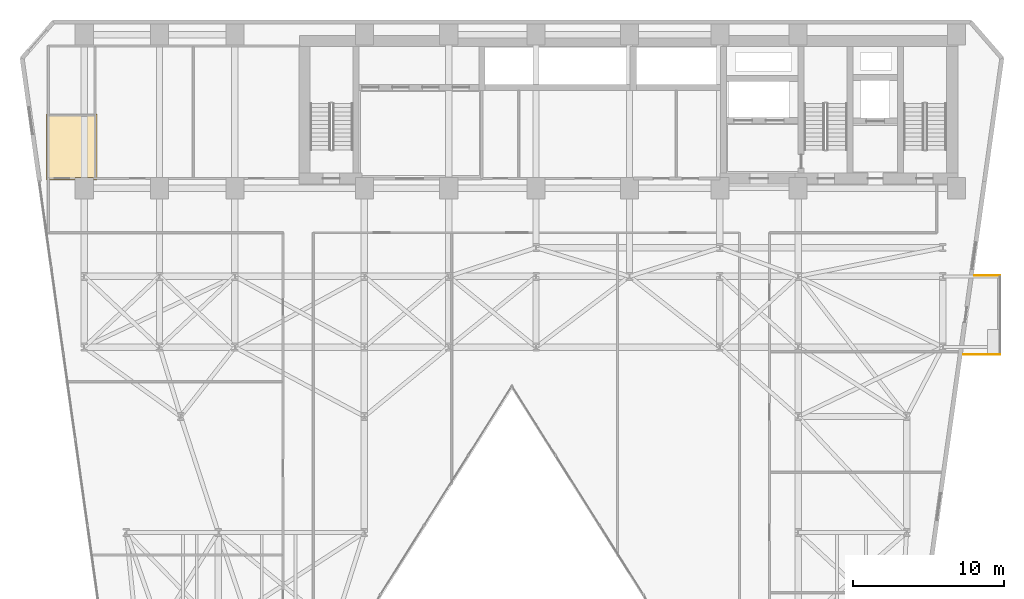
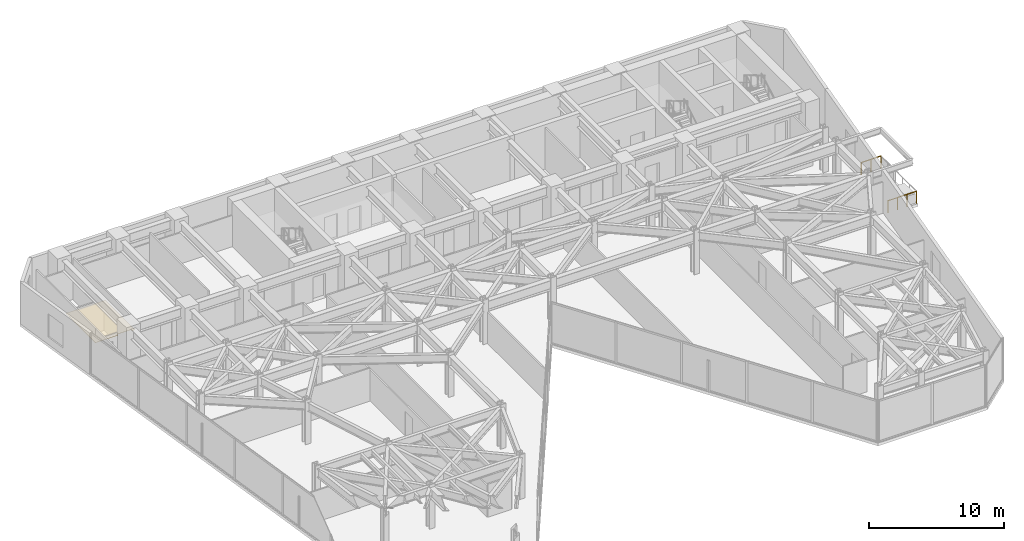
# One storey, part 22 of 24: 2 railings, 1 covering.
"""IFC4 building model written with IfcOpenShell, lengths in metres."""

from ifc_helpers import new_model, si_unit, direction, frame, origin, origin_2d, place, context, subcontext, project, spatial, polyline, circle, outline, extrude, material, layer, layer_set, type_object, element, save


model = new_model("IFC4")

# Units and contexts
model_context = context("Model", 3, precision=1e-05, world=origin(), true_north=direction((0.0, 1.0)))
body_context = subcontext(model_context, "Body", "Model", "MODEL_VIEW")
ifc_project = project(units=[si_unit("LENGTHUNIT", "METRE"), si_unit("AREAUNIT", "SQUARE_METRE"), si_unit("VOLUMEUNIT", "CUBIC_METRE"), si_unit("PLANEANGLEUNIT", "RADIAN"), si_unit("MASSUNIT", "GRAM", prefix="KILO")], contexts=[model_context])

# Site, building, storey
site_placement = place(None, origin())
site = spatial("IfcSite", under=ifc_project, at=site_placement, CompositionType="ELEMENT")
building_placement = place(site_placement, origin())
building = spatial("IfcBuilding", under=site, at=building_placement, Name="Kravanh Interchange Tower", CompositionType="ELEMENT")
storey_placement = place(building_placement, frame((0.0, 0.0, 37.5)))
storey = spatial("IfcBuildingStorey", under=building, at=storey_placement, Name="L08", CompositionType="ELEMENT", Elevation=37.5)

# Covering
ifc_material_1 = material(Name="Acoustic Mineral Fibre Tile on Aluminium Grid", Category="aluminium")
ifc_layer_1 = layer(ifc_material_1, 0.02490234375)
ifc_layer_set_1 = layer_set([ifc_layer_1], Name="Perforated Acoustic Mineral Ceiling 25mm")
covering_type = type_object("IfcCoveringType", Name="Perforated Acoustic Mineral Ceiling 25mm", PredefinedType="CEILING", material=ifc_layer_set_1)
covering_placement = place(storey_placement, frame((0.0, 0.0, 2.550048828125)))
element("IfcCovering", 1, at=covering_placement, inside=storey, type_object=covering_type, Name="L08 Accessible WC Suspended Ceiling", PredefinedType="CEILING", context=body_context, shape_type="SweptSolid", body=[
    extrude(outline(polyline([(9.4599609375, 42.280029296875), (9.4599609375, 37.909912109375), (9.199951171875, 37.909912109375), (9.199951171875, 38.050048828125), (8.0, 38.050048828125), (8.0, 37.909912109375), (6.080078125, 37.909912109375), (6.080078125, 42.280029296875), (9.4599609375, 42.280029296875)])), origin(), (0.0, 0.0, 1.0), 0.02490234375),
])

# Railings
ifc_material_2 = material(Name="Stainless Steel 316", Category="steel")
ifc_layer_2 = layer(ifc_material_2, 0.06005859375)
ifc_layer_set_2 = layer_set([ifc_layer_2], Name="Perimeter Balcony and Terrace Guardrail Stainless 316 1120mm")
railing_type = type_object("IfcRailingType", Name="Perimeter Balcony and Terrace Guardrail Stainless 316 1120mm", PredefinedType="GUARDRAIL", material=ifc_layer_set_2)
railing_1_placement = place(storey_placement, frame((69.39892578125, 26.31005859375, 0.0)))
element("IfcRailing", 2, at=railing_1_placement, inside=storey, type_object=railing_type, Name="L08 E Balcony Guardrail 2", PredefinedType="GUARDRAIL", context=body_context, shape_type="SweptSolid", body=[
    extrude(circle(Radius=0.02392578125, at=origin_2d()), frame((0.0, 0.0, 1.09619140625), z_axis=(-1.0, 0.0, 0.0), x_axis=(0.0, -1.0, 0.0)), (0.0, 0.0, 1.0), 2.421630859375),
    extrude(circle(Radius=0.02099609375, at=origin_2d()), origin(), (0.0, 0.0, 1.0), 1.072021484375),
    extrude(circle(Radius=0.02099609375, at=origin_2d()), frame((-0.80712890625, 0.0, 0.0)), (0.0, 0.0, 1.0), 1.072021484375),
    extrude(circle(Radius=0.02099609375, at=origin_2d()), frame((-1.614501953125, 0.0, 0.0)), (0.0, 0.0, 1.0), 1.072021484375),
    extrude(circle(Radius=0.02099609375, at=origin_2d()), frame((-2.421630859375, 0.0, 0.0)), (0.0, 0.0, 1.0), 1.072021484375),
])
railing_2_placement = place(storey_placement, frame((67.713623046875, 31.550048828125, 0.0)))
element("IfcRailing", 3, at=railing_2_placement, inside=storey, type_object=railing_type, Name="L08 E Balcony Guardrail 3", PredefinedType="GUARDRAIL", context=body_context, shape_type="SweptSolid", body=[
    extrude(circle(Radius=0.02392578125, at=origin_2d()), frame((0.0, 0.0, 1.09619140625), z_axis=(1.0, 0.0, 0.0), x_axis=(0.0, 1.0, 0.0)), (0.0, 0.0, 1.0), 1.685302734375),
    extrude(circle(Radius=0.02099609375, at=origin_2d()), origin(), (0.0, 0.0, 1.0), 1.072021484375),
    extrude(circle(Radius=0.02099609375, at=origin_2d()), frame((0.8427734375, 0.0, 0.0)), (0.0, 0.0, 1.0), 1.072021484375),
    extrude(circle(Radius=0.02099609375, at=origin_2d()), frame((1.685302734375, 0.0, 0.0)), (0.0, 0.0, 1.0), 1.072021484375),
])

save(model, "model.ifc")
